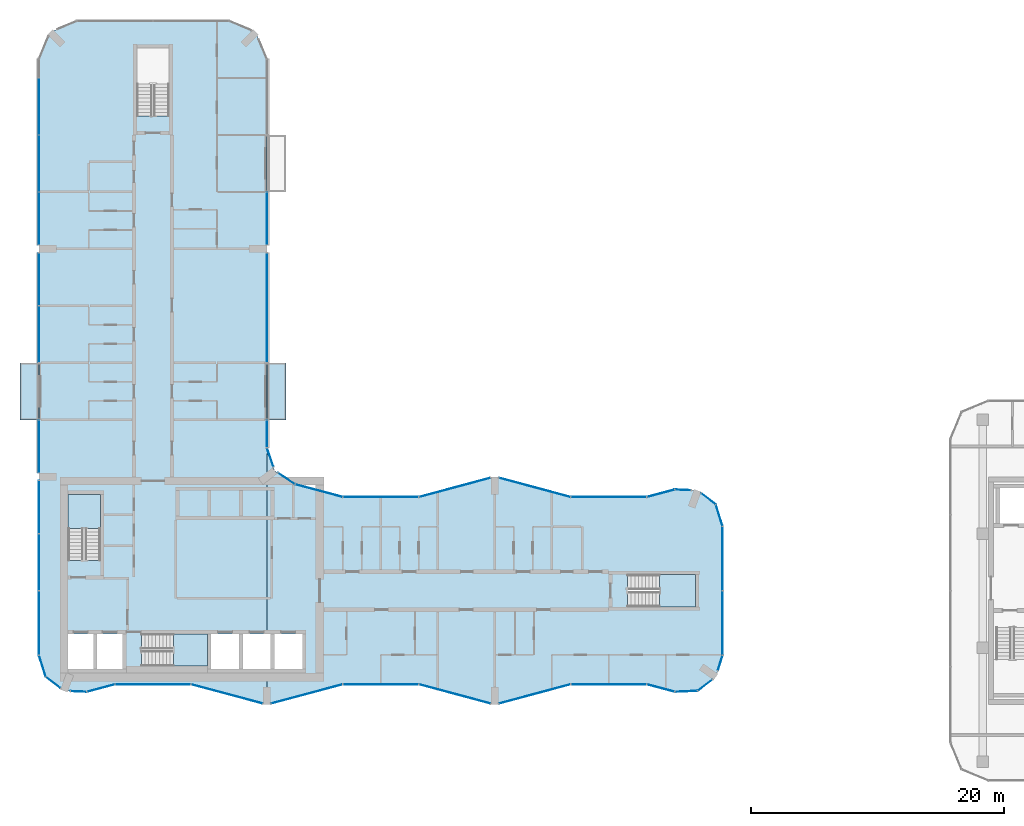
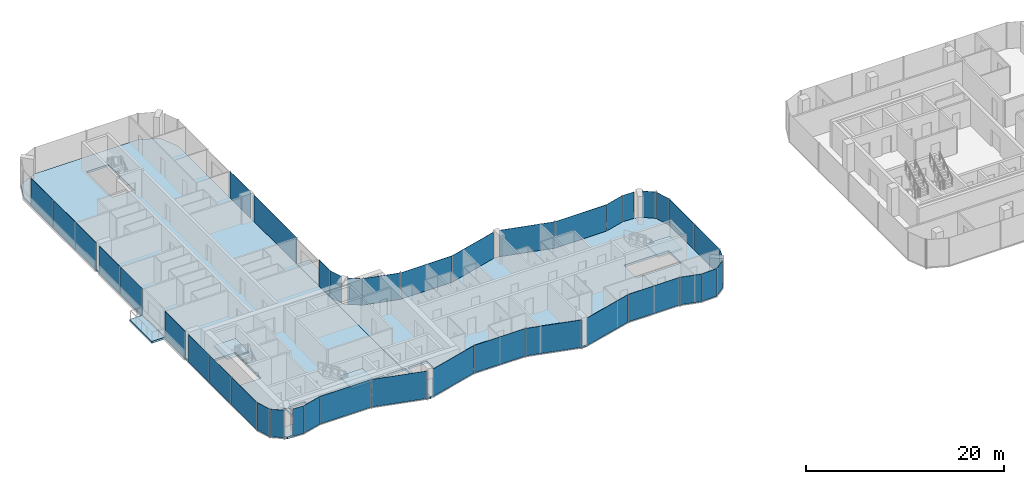
# One storey, part 11 of 22: 40 plates, 7 slabs, 37 elements without a shape of their own.
"""IFC4 building model written with IfcOpenShell, lengths in metres."""

from ifc_helpers import new_model, si_unit, direction, frame, origin, origin_2d, place, context, subcontext, project, spatial, polyline, rectangle, outline, extrude, material, layer, layer_set, type_object, element, aggregate, save


model = new_model("IFC4")

# Units and contexts
model_context = context("Model", 3, precision=1e-05, world=origin(), true_north=direction((0.0, 1.0)))
body_context = subcontext(model_context, "Body", "Model", "MODEL_VIEW")
ifc_project = project(units=[si_unit("LENGTHUNIT", "METRE"), si_unit("AREAUNIT", "SQUARE_METRE"), si_unit("VOLUMEUNIT", "CUBIC_METRE"), si_unit("PLANEANGLEUNIT", "RADIAN"), si_unit("MASSUNIT", "GRAM", prefix="KILO")], contexts=[model_context])

# Site, building, storey
site_placement = place(None, origin())
site = spatial("IfcSite", under=ifc_project, at=site_placement, CompositionType="ELEMENT")
building_placement = place(site_placement, origin())
building = spatial("IfcBuilding", under=site, at=building_placement, Name="Plateau Cross Towers", CompositionType="ELEMENT")
storey_placement = place(building_placement, frame((0.0, 0.0, 106.300048828125)))
storey = spatial("IfcBuildingStorey", under=building, at=storey_placement, Name="L27", CompositionType="ELEMENT", Elevation=106.300048828125)

# Slabs
ifc_material_1 = material(Name="Concrete C40/50", Category="concrete")
ifc_layer_1 = layer(ifc_material_1, 0.25)
ifc_layer_set_1 = layer_set([ifc_layer_1], Name="Concrete C40/50")
slab_type_1 = type_object("IfcSlabType", Name="Balcony slab 250", PredefinedType="FLOOR", material=ifc_layer_set_1)
slab_1_placement = place(storey_placement, frame((0.0, 0.0, -0.25)))
element("IfcSlab", 1, at=slab_1_placement, inside=storey, type_object=slab_type_1, Name="Balcony slab A-BAL-L27-01", PredefinedType="FLOOR", context=body_context, shape_type="SweptSolid", body=[
    extrude(outline(polyline([(0.0, 22.5), (0.0, 27.0), (-1.5, 27.0), (-1.5, 22.5), (0.0, 22.5)])), origin(), (0.0, 0.0, 1.0), 0.25),
])
slab_2_placement = place(storey_placement, frame((0.0, 0.0, -0.25)))
element("IfcSlab", 2, at=slab_2_placement, inside=storey, type_object=slab_type_1, Name="Balcony slab A-BAL-L27-02", PredefinedType="FLOOR", context=body_context, shape_type="SweptSolid", body=[
    extrude(outline(polyline([(19.5, 22.5), (19.5, 27.0), (18.0, 27.0), (18.0, 22.5), (19.5, 22.5)])), origin(), (0.0, 0.0, 1.0), 0.25),
])

# Curtain wall, plate
ifc_material_2 = material(Name="Dark low-iron glass", Category="glass")
ifc_layer_2 = layer(ifc_material_2, 0.239990234375)
ifc_layer_set_2 = layer_set([ifc_layer_2], Name="Dark low-iron glass")
curtain_wall_type_1 = type_object("IfcCurtainWallType", Name="Curtain wall flush unitised CW-B", PredefinedType="NOTDEFINED", material=ifc_layer_set_2)
curtain_wall_1_placement = place(storey_placement, origin())
curtain_wall_1 = element("IfcCurtainWall", 3, at=curtain_wall_1_placement, inside=storey, type_object=curtain_wall_type_1, Name="ENV/A/L27/A502_10", PredefinedType="NOTDEFINED")
ifc_layer_3 = layer(ifc_material_2, 0.031982421875)
ifc_layer_set_3 = layer_set([ifc_layer_3], Name="Dark low-iron glass")
plate_type_1 = type_object("IfcPlateType", Name="Glass panel 32 flush unitised", PredefinedType="CURTAIN_PANEL", material=ifc_layer_set_3)
plate_1_placement = place(storey_placement, frame((51.125, 1.05078125, -0.1298828125), z_axis=(0.0, 0.0, 1.0), x_axis=(0.999043701491, 0.043722791671, 0.0)))
plate_1 = element("IfcPlate", 4, at=plate_1_placement, type_object=plate_type_1, Name="CW-B panel 1", PredefinedType="CURTAIN_PANEL", context=body_context, shape_type="SweptSolid", body=[
    extrude(rectangle(XDim=1.744140625, YDim=0.031982421875, at=origin_2d()), origin(), (0.0, 0.0, 1.0), 3.3798828125),
])
aggregate(curtain_wall_1, [plate_1])

curtain_wall_2_placement = place(storey_placement, origin())
curtain_wall_2 = element("IfcCurtainWall", 5, at=curtain_wall_2_placement, inside=storey, type_object=curtain_wall_type_1, Name="ENV/A/L27/A520_11", PredefinedType="NOTDEFINED")
plate_2_placement = place(storey_placement, frame((52.60986328125, 1.5380859375, -0.1298828125), z_axis=(0.0, 0.0, 1.0), x_axis=(0.793315514529, 0.608810721331, 0.0)))
plate_2 = element("IfcPlate", 6, at=plate_2_placement, type_object=plate_type_1, Name="CW-B panel 1", PredefinedType="CURTAIN_PANEL", context=body_context, shape_type="SweptSolid", body=[
    extrude(rectangle(XDim=1.41162109375, YDim=0.031982421875, at=origin_2d()), origin(), (0.0, 0.0, 1.0), 3.3798828125),
])
aggregate(curtain_wall_2, [plate_2])

curtain_wall_3_placement = place(storey_placement, origin())
curtain_wall_3 = element("IfcCurtainWall", 7, at=curtain_wall_3_placement, inside=storey, type_object=curtain_wall_type_1, Name="ENV/A/L27/A536_27", PredefinedType="NOTDEFINED")
plate_3_placement = place(storey_placement, frame((53.805419921875, 3.292236328125, -0.1298828125), z_axis=(0.0, 0.0, 1.0), x_axis=(0.300686174994, 0.95372313811, 0.0)))
plate_3 = element("IfcPlate", 8, at=plate_3_placement, type_object=plate_type_1, Name="CW-B panel 1", PredefinedType="CURTAIN_PANEL", context=body_context, shape_type="SweptSolid", body=[
    extrude(rectangle(XDim=1.233642578125, YDim=0.031982421875, at=origin_2d()), origin(), (0.0, 0.0, 1.0), 3.3798828125),
])
aggregate(curtain_wall_3, [plate_3])

# Curtain wall, plates
curtain_wall_4_placement = place(storey_placement, origin())
curtain_wall_4 = element("IfcCurtainWall", 9, at=curtain_wall_4_placement, inside=storey, type_object=curtain_wall_type_1, Name="ENV/A/L27/A540_39", PredefinedType="NOTDEFINED")
plate_4_placement = place(storey_placement, frame((54.0, 6.45458984375, -0.1298828125), z_axis=(0.0, 0.0, 1.0), x_axis=(0.0, 1.0, 0.0)))
plate_4 = element("IfcPlate", 10, at=plate_4_placement, type_object=plate_type_1, Name="CW-B panel 1", PredefinedType="CURTAIN_PANEL", context=body_context, shape_type="SweptSolid", body=[
    extrude(rectangle(XDim=5.03076171875, YDim=0.031982421875, at=origin_2d()), origin(), (0.0, 0.0, 1.0), 3.3798828125),
])
plate_5_placement = place(storey_placement, frame((54.0, 11.54541015625, -0.1298828125), z_axis=(0.0, 0.0, 1.0), x_axis=(0.0, 1.0, 0.0)))
plate_5 = element("IfcPlate", 11, at=plate_5_placement, type_object=plate_type_1, Name="CW-B panel 2", PredefinedType="CURTAIN_PANEL", context=body_context, shape_type="SweptSolid", body=[
    extrude(rectangle(XDim=5.03076171875, YDim=0.031982421875, at=origin_2d()), origin(), (0.0, 0.0, 1.0), 3.3798828125),
])
aggregate(curtain_wall_4, [plate_4, plate_5])

# Curtain wall, plate
curtain_wall_5_placement = place(storey_placement, origin())
curtain_wall_5 = element("IfcCurtainWall", 12, at=curtain_wall_5_placement, inside=storey, type_object=curtain_wall_type_1, Name="ENV/A/L27/A540_141", PredefinedType="NOTDEFINED")
plate_6_placement = place(storey_placement, frame((53.728759765625, 14.951171875, -0.1298828125), z_axis=(0.0, 0.0, 1.0), x_axis=(-0.300686174994, 0.95372313811, 0.0)))
plate_6 = element("IfcPlate", 13, at=plate_6_placement, type_object=plate_type_1, Name="CW-B panel 1", PredefinedType="CURTAIN_PANEL", context=body_context, shape_type="SweptSolid", body=[
    extrude(rectangle(XDim=1.744140625, YDim=0.031982421875, at=origin_2d()), origin(), (0.0, 0.0, 1.0), 3.3798828125),
])
aggregate(curtain_wall_5, [plate_6])

curtain_wall_6_placement = place(storey_placement, origin())
curtain_wall_6 = element("IfcCurtainWall", 14, at=curtain_wall_6_placement, inside=storey, type_object=curtain_wall_type_1, Name="ENV/A/L27/A535_158", PredefinedType="NOTDEFINED")
plate_7_placement = place(storey_placement, frame((52.873779296875, 16.25927734375, -0.1298828125), z_axis=(0.0, 0.0, 1.0), x_axis=(-0.793315514529, 0.608810721331, 0.0)))
plate_7 = element("IfcPlate", 15, at=plate_7_placement, type_object=plate_type_1, Name="CW-B panel 1", PredefinedType="CURTAIN_PANEL", context=body_context, shape_type="SweptSolid", body=[
    extrude(rectangle(XDim=1.41162109375, YDim=0.031982421875, at=origin_2d()), origin(), (0.0, 0.0, 1.0), 3.3798828125),
])
aggregate(curtain_wall_6, [plate_7])

curtain_wall_7_placement = place(storey_placement, origin())
curtain_wall_7 = element("IfcCurtainWall", 16, at=curtain_wall_7_placement, inside=storey, type_object=curtain_wall_type_1, Name="ENV/A/L27/A515_169", PredefinedType="NOTDEFINED")
plate_8_placement = place(storey_placement, frame((50.8701171875, 16.96044921875, -0.1298828125), z_axis=(0.0, 0.0, 1.0), x_axis=(-0.999043701491, 0.043722791671, 0.0)))
plate_8 = element("IfcPlate", 17, at=plate_8_placement, type_object=plate_type_1, Name="CW-B panel 1", PredefinedType="CURTAIN_PANEL", context=body_context, shape_type="SweptSolid", body=[
    extrude(rectangle(XDim=1.233642578125, YDim=0.031982421875, at=origin_2d()), origin(), (0.0, 0.0, 1.0), 3.3798828125),
])
aggregate(curtain_wall_7, [plate_8])

curtain_wall_8_placement = place(storey_placement, origin())
curtain_wall_8 = element("IfcCurtainWall", 18, at=curtain_wall_8_placement, inside=storey, type_object=curtain_wall_type_1, Name="ENV/A/L27/A202_174", PredefinedType="NOTDEFINED")
plate_9_placement = place(storey_placement, frame((19.546630859375, 17.856689453125, -0.1298828125), z_axis=(0.0, 0.0, 1.0), x_axis=(-0.831521253329, 0.555492938984, 0.0)))
plate_9 = element("IfcPlate", 19, at=plate_9_placement, type_object=plate_type_1, Name="CW-B panel 1", PredefinedType="CURTAIN_PANEL", context=body_context, shape_type="SweptSolid", body=[
    extrude(rectangle(XDim=1.56884765625, YDim=0.031982421875, at=origin_2d()), origin(), (0.0, 0.0, 1.0), 3.3798828125),
])
aggregate(curtain_wall_8, [plate_9])

curtain_wall_9_placement = place(storey_placement, origin())
curtain_wall_9 = element("IfcCurtainWall", 20, at=curtain_wall_9_placement, inside=storey, type_object=curtain_wall_type_1, Name="ENV/A/L27/A185_188", PredefinedType="NOTDEFINED")
plate_10_placement = place(storey_placement, frame((18.26171875, 19.531005859375, -0.1298828125), z_axis=(0.0, 0.0, 1.0), x_axis=(-0.321469161574, 0.94692004845, 0.0)))
plate_10 = element("IfcPlate", 21, at=plate_10_placement, type_object=plate_type_1, Name="CW-B panel 1", PredefinedType="CURTAIN_PANEL", context=body_context, shape_type="SweptSolid", body=[
    extrude(rectangle(XDim=1.56884765625, YDim=0.031982421875, at=origin_2d()), origin(), (0.0, 0.0, 1.0), 3.3798828125),
])
aggregate(curtain_wall_9, [plate_10])

curtain_wall_10_placement = place(storey_placement, origin())
curtain_wall_10 = element("IfcCurtainWall", 22, at=curtain_wall_10_placement, inside=storey, type_object=curtain_wall_type_1, Name="ENV/A/L27/A180_203", PredefinedType="NOTDEFINED")
plate_11_placement = place(storey_placement, frame((18.0, 21.396240234375, -0.1298828125), z_axis=(0.0, 0.0, 1.0), x_axis=(0.0, 1.0, 0.0)))
plate_11 = element("IfcPlate", 23, at=plate_11_placement, type_object=plate_type_1, Name="CW-B panel 1", PredefinedType="CURTAIN_PANEL", context=body_context, shape_type="SweptSolid", body=[
    extrude(rectangle(XDim=2.127685546875, YDim=0.031982421875, at=origin_2d()), origin(), (0.0, 0.0, 1.0), 3.3798828125),
])
aggregate(curtain_wall_10, [plate_11])

curtain_wall_11_placement = place(storey_placement, origin())
curtain_wall_11 = element("IfcCurtainWall", 24, at=curtain_wall_11_placement, inside=storey, type_object=curtain_wall_type_1, Name="ENV/A/L27/A180_270", PredefinedType="NOTDEFINED")
plate_12_placement = place(storey_placement, frame((18.0, 31.35498046875, -0.1298828125), z_axis=(0.0, 0.0, 1.0), x_axis=(0.0, 1.0, 0.0)))
plate_12 = element("IfcPlate", 25, at=plate_12_placement, type_object=plate_type_1, Name="CW-B panel 1", PredefinedType="CURTAIN_PANEL", context=body_context, shape_type="SweptSolid", body=[
    extrude(rectangle(XDim=8.6298828125, YDim=0.031982421875, at=origin_2d()), origin(), (0.0, 0.0, 1.0), 3.3798828125),
])
aggregate(curtain_wall_11, [plate_12])

curtain_wall_12_placement = place(storey_placement, origin())
curtain_wall_12 = element("IfcCurtainWall", 26, at=curtain_wall_12_placement, inside=storey, type_object=curtain_wall_type_1, Name="ENV/A/L27/A180_363", PredefinedType="NOTDEFINED")
plate_13_placement = place(storey_placement, frame((18.0, 38.39501953125, -0.1298828125), z_axis=(0.0, 0.0, 1.0), x_axis=(0.0, 1.0, 0.0)))
plate_13 = element("IfcPlate", 27, at=plate_13_placement, type_object=plate_type_1, Name="CW-B panel 1", PredefinedType="CURTAIN_PANEL", context=body_context, shape_type="SweptSolid", body=[
    extrude(rectangle(XDim=4.1298828125, YDim=0.031982421875, at=origin_2d()), origin(), (0.0, 0.0, 1.0), 3.3798828125),
])
aggregate(curtain_wall_12, [plate_13])

# Curtain wall, plates
curtain_wall_13_placement = place(storey_placement, origin())
curtain_wall_13 = element("IfcCurtainWall", 28, at=curtain_wall_13_placement, inside=storey, type_object=curtain_wall_type_1, Name="ENV/A/L27/A0_510", PredefinedType="NOTDEFINED")
plate_14_placement = place(storey_placement, frame((0.0, 47.25, -0.1298828125), z_axis=(0.0, 0.0, 1.0), x_axis=(0.0, -1.0, 0.0)))
plate_14 = element("IfcPlate", 29, at=plate_14_placement, type_object=plate_type_1, Name="CW-B panel 2", PredefinedType="CURTAIN_PANEL", context=body_context, shape_type="SweptSolid", body=[
    extrude(rectangle(XDim=4.43994140625, YDim=0.031982421875, at=origin_2d()), origin(), (0.0, 0.0, 1.0), 3.3798828125),
])
plate_15_placement = place(storey_placement, frame((0.0, 42.75, -0.1298828125), z_axis=(0.0, 0.0, 1.0), x_axis=(0.0, -1.0, 0.0)))
plate_15 = element("IfcPlate", 30, at=plate_15_placement, type_object=plate_type_1, Name="CW-B panel 3", PredefinedType="CURTAIN_PANEL", context=body_context, shape_type="SweptSolid", body=[
    extrude(rectangle(XDim=4.43994140625, YDim=0.031982421875, at=origin_2d()), origin(), (0.0, 0.0, 1.0), 3.3798828125),
])
plate_16_placement = place(storey_placement, frame((0.0, 38.39990234375, -0.1298828125), z_axis=(0.0, 0.0, 1.0), x_axis=(0.0, -1.0, 0.0)))
plate_16 = element("IfcPlate", 31, at=plate_16_placement, type_object=plate_type_1, Name="CW-B panel 4", PredefinedType="CURTAIN_PANEL", context=body_context, shape_type="SweptSolid", body=[
    extrude(rectangle(XDim=4.139892578125, YDim=0.031982421875, at=origin_2d()), origin(), (0.0, 0.0, 1.0), 3.3798828125),
])
aggregate(curtain_wall_13, [plate_14, plate_15, plate_16])

curtain_wall_14_placement = place(storey_placement, origin())
curtain_wall_14 = element("IfcCurtainWall", 32, at=curtain_wall_14_placement, inside=storey, type_object=curtain_wall_type_1, Name="ENV/A/L27/A0_357", PredefinedType="NOTDEFINED")
plate_17_placement = place(storey_placement, frame((0.0, 33.60009765625, -0.1298828125), z_axis=(0.0, 0.0, 1.0), x_axis=(0.0, -1.0, 0.0)))
plate_17 = element("IfcPlate", 33, at=plate_17_placement, type_object=plate_type_1, Name="CW-B panel 1", PredefinedType="CURTAIN_PANEL", context=body_context, shape_type="SweptSolid", body=[
    extrude(rectangle(XDim=4.139892578125, YDim=0.031982421875, at=origin_2d()), origin(), (0.0, 0.0, 1.0), 3.3798828125),
])
plate_18_placement = place(storey_placement, frame((0.0, 29.2548828125, -0.1298828125), z_axis=(0.0, 0.0, 1.0), x_axis=(0.0, -1.0, 0.0)))
plate_18 = element("IfcPlate", 34, at=plate_18_placement, type_object=plate_type_1, Name="CW-B panel 2", PredefinedType="CURTAIN_PANEL", context=body_context, shape_type="SweptSolid", body=[
    extrude(rectangle(XDim=4.429931640625, YDim=0.031982421875, at=origin_2d()), origin(), (0.0, 0.0, 1.0), 3.3798828125),
])
aggregate(curtain_wall_14, [plate_17, plate_18])

# Curtain wall, plate
curtain_wall_15_placement = place(storey_placement, origin())
curtain_wall_15 = element("IfcCurtainWall", 35, at=curtain_wall_15_placement, inside=storey, type_object=curtain_wall_type_1, Name="ENV/A/L27/A0_225", PredefinedType="NOTDEFINED")
plate_19_placement = place(storey_placement, frame((0.0, 20.39501953125, -0.1298828125), z_axis=(0.0, 0.0, 1.0), x_axis=(0.0, -1.0, 0.0)))
plate_19 = element("IfcPlate", 36, at=plate_19_placement, type_object=plate_type_1, Name="CW-B panel 1", PredefinedType="CURTAIN_PANEL", context=body_context, shape_type="SweptSolid", body=[
    extrude(rectangle(XDim=4.1298828125, YDim=0.031982421875, at=origin_2d()), origin(), (0.0, 0.0, 1.0), 3.3798828125),
])
aggregate(curtain_wall_15, [plate_19])

# Curtain wall, plates
curtain_wall_16_placement = place(storey_placement, origin())
curtain_wall_16 = element("IfcCurtainWall", 37, at=curtain_wall_16_placement, inside=storey, type_object=curtain_wall_type_1, Name="ENV/A/L27/A0_177", PredefinedType="NOTDEFINED")
plate_20_placement = place(storey_placement, frame((0.0, 15.60009765625, -0.1298828125), z_axis=(0.0, 0.0, 1.0), x_axis=(0.0, -1.0, 0.0)))
plate_20 = element("IfcPlate", 38, at=plate_20_placement, type_object=plate_type_1, Name="CW-B panel 1", PredefinedType="CURTAIN_PANEL", context=body_context, shape_type="SweptSolid", body=[
    extrude(rectangle(XDim=4.139892578125, YDim=0.031982421875, at=origin_2d()), origin(), (0.0, 0.0, 1.0), 3.3798828125),
])
plate_21_placement = place(storey_placement, frame((0.0, 11.25, -0.1298828125), z_axis=(0.0, 0.0, 1.0), x_axis=(0.0, -1.0, 0.0)))
plate_21 = element("IfcPlate", 39, at=plate_21_placement, type_object=plate_type_1, Name="CW-B panel 2", PredefinedType="CURTAIN_PANEL", context=body_context, shape_type="SweptSolid", body=[
    extrude(rectangle(XDim=4.43994140625, YDim=0.031982421875, at=origin_2d()), origin(), (0.0, 0.0, 1.0), 3.3798828125),
])
plate_22_placement = place(storey_placement, frame((0.0, 6.45458984375, -0.1298828125), z_axis=(0.0, 0.0, 1.0), x_axis=(0.0, -1.0, 0.0)))
plate_22 = element("IfcPlate", 40, at=plate_22_placement, type_object=plate_type_1, Name="CW-B panel 3", PredefinedType="CURTAIN_PANEL", context=body_context, shape_type="SweptSolid", body=[
    extrude(rectangle(XDim=5.03076171875, YDim=0.031982421875, at=origin_2d()), origin(), (0.0, 0.0, 1.0), 3.3798828125),
])
aggregate(curtain_wall_16, [plate_20, plate_21, plate_22])

# Curtain wall, plate
curtain_wall_17_placement = place(storey_placement, origin())
curtain_wall_17 = element("IfcCurtainWall", 41, at=curtain_wall_17_placement, inside=storey, type_object=curtain_wall_type_1, Name="ENV/A/L27/A0_39", PredefinedType="NOTDEFINED")
plate_23_placement = place(storey_placement, frame((0.271240234375, 3.048828125, -0.1298828125), z_axis=(0.0, 0.0, 1.0), x_axis=(0.300686174994, -0.95372313811, 0.0)))
plate_23 = element("IfcPlate", 42, at=plate_23_placement, type_object=plate_type_1, Name="CW-B panel 1", PredefinedType="CURTAIN_PANEL", context=body_context, shape_type="SweptSolid", body=[
    extrude(rectangle(XDim=1.744140625, YDim=0.031982421875, at=origin_2d()), origin(), (0.0, 0.0, 1.0), 3.3798828125),
])
aggregate(curtain_wall_17, [plate_23])

curtain_wall_18_placement = place(storey_placement, origin())
curtain_wall_18 = element("IfcCurtainWall", 43, at=curtain_wall_18_placement, inside=storey, type_object=curtain_wall_type_1, Name="ENV/A/L27/A5_22", PredefinedType="NOTDEFINED")
plate_24_placement = place(storey_placement, frame((1.126220703125, 1.74072265625, -0.1298828125), z_axis=(0.0, 0.0, 1.0), x_axis=(0.793315514529, -0.608810721331, 0.0)))
plate_24 = element("IfcPlate", 44, at=plate_24_placement, type_object=plate_type_1, Name="CW-B panel 1", PredefinedType="CURTAIN_PANEL", context=body_context, shape_type="SweptSolid", body=[
    extrude(rectangle(XDim=1.41162109375, YDim=0.031982421875, at=origin_2d()), origin(), (0.0, 0.0, 1.0), 3.3798828125),
])
aggregate(curtain_wall_18, [plate_24])

curtain_wall_19_placement = place(storey_placement, origin())
curtain_wall_19 = element("IfcCurtainWall", 45, at=curtain_wall_19_placement, inside=storey, type_object=curtain_wall_type_1, Name="ENV/A/L27/A25_11", PredefinedType="NOTDEFINED")
plate_25_placement = place(storey_placement, frame((3.1298828125, 1.03955078125, -0.1298828125), z_axis=(0.0, 0.0, 1.0), x_axis=(0.999043701491, -0.043722791671, 0.0)))
plate_25 = element("IfcPlate", 46, at=plate_25_placement, type_object=plate_type_1, Name="CW-B panel 1", PredefinedType="CURTAIN_PANEL", context=body_context, shape_type="SweptSolid", body=[
    extrude(rectangle(XDim=1.233642578125, YDim=0.031982421875, at=origin_2d()), origin(), (0.0, 0.0, 1.0), 3.3798828125),
])
aggregate(curtain_wall_19, [plate_25])

ifc_layer_4 = layer(ifc_material_2, 0.260009765625)
ifc_layer_set_4 = layer_set([ifc_layer_4], Name="Dark low-iron glass")
curtain_wall_type_2 = type_object("IfcCurtainWallType", Name="Curtain wall fluted unitised CW-A", PredefinedType="NOTDEFINED", material=ifc_layer_set_4)
curtain_wall_20_placement = place(storey_placement, origin())
curtain_wall_20 = element("IfcCurtainWall", 47, at=curtain_wall_20_placement, inside=storey, type_object=curtain_wall_type_2, Name="ENV/A/L27/A38_10", PredefinedType="NOTDEFINED")
ifc_layer_5 = layer(ifc_material_2, 0.035888671875)
ifc_layer_set_5 = layer_set([ifc_layer_5], Name="Dark low-iron glass")
plate_type_2 = type_object("IfcPlateType", Name="Glass panel 36 fluted unitised", PredefinedType="CURTAIN_PANEL", material=ifc_layer_set_5)
plate_26_placement = place(storey_placement, frame((4.887939453125, 1.30908203125, -0.1298828125), z_axis=(0.0, 0.0, 1.0), x_axis=(0.965957962328, 0.258699081978, 0.0)))
plate_26 = element("IfcPlate", 48, at=plate_26_placement, type_object=plate_type_2, Name="CW-A panel 1", PredefinedType="CURTAIN_PANEL", context=body_context, shape_type="SweptSolid", body=[
    extrude(rectangle(XDim=2.2421875, YDim=0.035888671875, at=origin_2d()), origin(), (0.0, 0.0, 1.0), 3.3798828125),
])
aggregate(curtain_wall_20, [plate_26])

curtain_wall_21_placement = place(storey_placement, origin())
curtain_wall_21 = element("IfcCurtainWall", 49, at=curtain_wall_21_placement, inside=storey, type_object=curtain_wall_type_2, Name="ENV/A/L27/A60_16", PredefinedType="NOTDEFINED")
plate_27_placement = place(storey_placement, frame((9.0, 1.60693359375, -0.1298828125), z_axis=(0.0, 0.0, 1.0), x_axis=(1.0, 0.0, 0.0)))
plate_27 = element("IfcPlate", 50, at=plate_27_placement, type_object=plate_type_2, Name="CW-A panel 1", PredefinedType="CURTAIN_PANEL", context=body_context, shape_type="SweptSolid", body=[
    extrude(rectangle(XDim=5.93994140625, YDim=0.035888671875, at=origin_2d()), origin(), (0.0, 0.0, 1.0), 3.3798828125),
])
aggregate(curtain_wall_21, [plate_27])

curtain_wall_22_placement = place(storey_placement, origin())
curtain_wall_22 = element("IfcCurtainWall", 51, at=curtain_wall_22_placement, inside=storey, type_object=curtain_wall_type_2, Name="ENV/A/L27/A120_16", PredefinedType="NOTDEFINED")
plate_28_placement = place(storey_placement, frame((14.841064453125, 0.845947265625, -0.1298828125), z_axis=(0.0, 0.0, 1.0), x_axis=(0.965957983404, -0.258699003279, 0.0)))
plate_28 = element("IfcPlate", 52, at=plate_28_placement, type_object=plate_type_2, Name="CW-A panel 1", PredefinedType="CURTAIN_PANEL", context=body_context, shape_type="SweptSolid", body=[
    extrude(rectangle(XDim=5.822265625, YDim=0.035888671875, at=origin_2d()), origin(), (0.0, 0.0, 1.0), 3.3798828125),
])
aggregate(curtain_wall_22, [plate_28])

curtain_wall_23_placement = place(storey_placement, origin())
curtain_wall_23 = element("IfcCurtainWall", 53, at=curtain_wall_23_placement, inside=storey, type_object=curtain_wall_type_2, Name="ENV/A/L27/A183_1", PredefinedType="NOTDEFINED")
plate_29_placement = place(storey_placement, frame((21.158935546875, 0.845947265625, -0.1298828125), z_axis=(0.0, 0.0, 1.0), x_axis=(0.965957983404, 0.258699003279, 0.0)))
plate_29 = element("IfcPlate", 54, at=plate_29_placement, type_object=plate_type_2, Name="CW-A panel 1", PredefinedType="CURTAIN_PANEL", context=body_context, shape_type="SweptSolid", body=[
    extrude(rectangle(XDim=5.822265625, YDim=0.035888671875, at=origin_2d()), origin(), (0.0, 0.0, 1.0), 3.3798828125),
])
aggregate(curtain_wall_23, [plate_29])

curtain_wall_24_placement = place(storey_placement, origin())
curtain_wall_24 = element("IfcCurtainWall", 55, at=curtain_wall_24_placement, inside=storey, type_object=curtain_wall_type_2, Name="ENV/A/L27/A240_16", PredefinedType="NOTDEFINED")
plate_30_placement = place(storey_placement, frame((27.0, 1.60693359375, -0.1298828125), z_axis=(0.0, 0.0, 1.0), x_axis=(1.0, 0.0, 0.0)))
plate_30 = element("IfcPlate", 56, at=plate_30_placement, type_object=plate_type_2, Name="CW-A panel 1", PredefinedType="CURTAIN_PANEL", context=body_context, shape_type="SweptSolid", body=[
    extrude(rectangle(XDim=5.93994140625, YDim=0.035888671875, at=origin_2d()), origin(), (0.0, 0.0, 1.0), 3.3798828125),
])
aggregate(curtain_wall_24, [plate_30])

curtain_wall_25_placement = place(storey_placement, origin())
curtain_wall_25 = element("IfcCurtainWall", 57, at=curtain_wall_25_placement, inside=storey, type_object=curtain_wall_type_2, Name="ENV/A/L27/A300_16", PredefinedType="NOTDEFINED")
plate_31_placement = place(storey_placement, frame((32.841064453125, 0.845947265625, -0.1298828125), z_axis=(0.0, 0.0, 1.0), x_axis=(0.965957983404, -0.258699003279, 0.0)))
plate_31 = element("IfcPlate", 58, at=plate_31_placement, type_object=plate_type_2, Name="CW-A panel 1", PredefinedType="CURTAIN_PANEL", context=body_context, shape_type="SweptSolid", body=[
    extrude(rectangle(XDim=5.822265625, YDim=0.035888671875, at=origin_2d()), origin(), (0.0, 0.0, 1.0), 3.3798828125),
])
aggregate(curtain_wall_25, [plate_31])

curtain_wall_26_placement = place(storey_placement, origin())
curtain_wall_26 = element("IfcCurtainWall", 59, at=curtain_wall_26_placement, inside=storey, type_object=curtain_wall_type_2, Name="ENV/A/L27/A363_1", PredefinedType="NOTDEFINED")
plate_32_placement = place(storey_placement, frame((39.158935546875, 0.845947265625, -0.1298828125), z_axis=(0.0, 0.0, 1.0), x_axis=(0.965957983404, 0.258699003279, 0.0)))
plate_32 = element("IfcPlate", 60, at=plate_32_placement, type_object=plate_type_2, Name="CW-A panel 1", PredefinedType="CURTAIN_PANEL", context=body_context, shape_type="SweptSolid", body=[
    extrude(rectangle(XDim=5.822265625, YDim=0.035888671875, at=origin_2d()), origin(), (0.0, 0.0, 1.0), 3.3798828125),
])
aggregate(curtain_wall_26, [plate_32])

curtain_wall_27_placement = place(storey_placement, origin())
curtain_wall_27 = element("IfcCurtainWall", 61, at=curtain_wall_27_placement, inside=storey, type_object=curtain_wall_type_2, Name="ENV/A/L27/A420_16", PredefinedType="NOTDEFINED")
plate_33_placement = place(storey_placement, frame((45.0, 1.60693359375, -0.1298828125), z_axis=(0.0, 0.0, 1.0), x_axis=(1.0, 0.0, 0.0)))
plate_33 = element("IfcPlate", 62, at=plate_33_placement, type_object=plate_type_2, Name="CW-A panel 1", PredefinedType="CURTAIN_PANEL", context=body_context, shape_type="SweptSolid", body=[
    extrude(rectangle(XDim=5.93994140625, YDim=0.035888671875, at=origin_2d()), origin(), (0.0, 0.0, 1.0), 3.3798828125),
])
aggregate(curtain_wall_27, [plate_33])

curtain_wall_28_placement = place(storey_placement, origin())
curtain_wall_28 = element("IfcCurtainWall", 63, at=curtain_wall_28_placement, inside=storey, type_object=curtain_wall_type_2, Name="ENV/A/L27/A480_16", PredefinedType="NOTDEFINED")
plate_34_placement = place(storey_placement, frame((49.112060546875, 1.30908203125, -0.1298828125), z_axis=(0.0, 0.0, 1.0), x_axis=(0.965957962328, -0.258699081978, 0.0)))
plate_34 = element("IfcPlate", 64, at=plate_34_placement, type_object=plate_type_2, Name="CW-A panel 1", PredefinedType="CURTAIN_PANEL", context=body_context, shape_type="SweptSolid", body=[
    extrude(rectangle(XDim=2.2421875, YDim=0.035888671875, at=origin_2d()), origin(), (0.0, 0.0, 1.0), 3.3798828125),
])
aggregate(curtain_wall_28, [plate_34])

curtain_wall_29_placement = place(storey_placement, origin())
curtain_wall_29 = element("IfcCurtainWall", 65, at=curtain_wall_29_placement, inside=storey, type_object=curtain_wall_type_2, Name="ENV/A/L27/A502_170", PredefinedType="NOTDEFINED")
plate_35_placement = place(storey_placement, frame((49.112060546875, 16.69091796875, -0.1298828125), z_axis=(0.0, 0.0, 1.0), x_axis=(-0.965957962328, -0.258699081978, 0.0)))
plate_35 = element("IfcPlate", 66, at=plate_35_placement, type_object=plate_type_2, Name="CW-A panel 1", PredefinedType="CURTAIN_PANEL", context=body_context, shape_type="SweptSolid", body=[
    extrude(rectangle(XDim=2.2421875, YDim=0.035888671875, at=origin_2d()), origin(), (0.0, 0.0, 1.0), 3.3798828125),
])
aggregate(curtain_wall_29, [plate_35])

curtain_wall_30_placement = place(storey_placement, origin())
curtain_wall_30 = element("IfcCurtainWall", 67, at=curtain_wall_30_placement, inside=storey, type_object=curtain_wall_type_2, Name="ENV/A/L27/A480_164", PredefinedType="NOTDEFINED")
plate_36_placement = place(storey_placement, frame((45.0, 16.39306640625, -0.1298828125), z_axis=(0.0, 0.0, 1.0), x_axis=(-1.0, 0.0, 0.0)))
plate_36 = element("IfcPlate", 68, at=plate_36_placement, type_object=plate_type_2, Name="CW-A panel 1", PredefinedType="CURTAIN_PANEL", context=body_context, shape_type="SweptSolid", body=[
    extrude(rectangle(XDim=5.93994140625, YDim=0.035888671875, at=origin_2d()), origin(), (0.0, 0.0, 1.0), 3.3798828125),
])
aggregate(curtain_wall_30, [plate_36])

curtain_wall_31_placement = place(storey_placement, origin())
curtain_wall_31 = element("IfcCurtainWall", 69, at=curtain_wall_31_placement, inside=storey, type_object=curtain_wall_type_2, Name="ENV/A/L27/A420_164", PredefinedType="NOTDEFINED")
plate_37_placement = place(storey_placement, frame((39.158935546875, 17.154052734375, -0.1298828125), z_axis=(0.0, 0.0, 1.0), x_axis=(-0.965957983404, 0.258699003279, 0.0)))
plate_37 = element("IfcPlate", 70, at=plate_37_placement, type_object=plate_type_2, Name="CW-A panel 1", PredefinedType="CURTAIN_PANEL", context=body_context, shape_type="SweptSolid", body=[
    extrude(rectangle(XDim=5.822265625, YDim=0.035888671875, at=origin_2d()), origin(), (0.0, 0.0, 1.0), 3.3798828125),
])
aggregate(curtain_wall_31, [plate_37])

curtain_wall_32_placement = place(storey_placement, origin())
curtain_wall_32 = element("IfcCurtainWall", 71, at=curtain_wall_32_placement, inside=storey, type_object=curtain_wall_type_2, Name="ENV/A/L27/A357_179", PredefinedType="NOTDEFINED")
plate_38_placement = place(storey_placement, frame((32.841064453125, 17.154052734375, -0.1298828125), z_axis=(0.0, 0.0, 1.0), x_axis=(-0.965957983404, -0.258699003279, 0.0)))
plate_38 = element("IfcPlate", 72, at=plate_38_placement, type_object=plate_type_2, Name="CW-A panel 1", PredefinedType="CURTAIN_PANEL", context=body_context, shape_type="SweptSolid", body=[
    extrude(rectangle(XDim=5.822265625, YDim=0.035888671875, at=origin_2d()), origin(), (0.0, 0.0, 1.0), 3.3798828125),
])
aggregate(curtain_wall_32, [plate_38])

curtain_wall_33_placement = place(storey_placement, origin())
curtain_wall_33 = element("IfcCurtainWall", 73, at=curtain_wall_33_placement, inside=storey, type_object=curtain_wall_type_2, Name="ENV/A/L27/A300_164", PredefinedType="NOTDEFINED")
plate_39_placement = place(storey_placement, frame((27.0, 16.39306640625, -0.1298828125), z_axis=(0.0, 0.0, 1.0), x_axis=(-1.0, 0.0, 0.0)))
plate_39 = element("IfcPlate", 74, at=plate_39_placement, type_object=plate_type_2, Name="CW-A panel 1", PredefinedType="CURTAIN_PANEL", context=body_context, shape_type="SweptSolid", body=[
    extrude(rectangle(XDim=5.93994140625, YDim=0.035888671875, at=origin_2d()), origin(), (0.0, 0.0, 1.0), 3.3798828125),
])
aggregate(curtain_wall_33, [plate_39])

curtain_wall_34_placement = place(storey_placement, origin())
curtain_wall_34 = element("IfcCurtainWall", 75, at=curtain_wall_34_placement, inside=storey, type_object=curtain_wall_type_2, Name="ENV/A/L27/A240_164", PredefinedType="NOTDEFINED")
plate_40_placement = place(storey_placement, frame((22.112060546875, 16.898681640625, -0.1298828125), z_axis=(0.0, 0.0, 1.0), x_axis=(-0.965957995816, 0.258698956933, 0.0)))
plate_40 = element("IfcPlate", 76, at=plate_40_placement, type_object=plate_type_2, Name="CW-A panel 1", PredefinedType="CURTAIN_PANEL", context=body_context, shape_type="SweptSolid", body=[
    extrude(rectangle(XDim=3.84912109375, YDim=0.035888671875, at=origin_2d()), origin(), (0.0, 0.0, 1.0), 3.3798828125),
])
aggregate(curtain_wall_34, [plate_40])

# Slabs
ifc_layer_6 = layer(ifc_material_1, 0.25)
ifc_layer_set_6 = layer_set([ifc_layer_6], Name="Concrete C40/50")
slab_type_2 = type_object("IfcSlabType", Name="Post-tensioned flat plate slab 250", PredefinedType="FLOOR", material=ifc_layer_set_6)
slab_3_placement = place(storey_placement, frame((0.0, 0.0, -0.25)))
element("IfcSlab", 77, at=slab_3_placement, inside=storey, type_object=slab_type_2, Name="SL-A-L27 1", PredefinedType="FLOOR", context=body_context, shape_type="SweptSolid", body=[
    extrude(outline(polyline([(0.54248046875, 2.1884765625), (0.0, 3.9091796875), (0.0, 51.0), (0.878662109375, 53.121337890625), (3.0, 54.0), (15.0, 54.0), (17.121337890625, 53.121337890625), (18.0, 51.0), (18.0, 20.30224609375), (18.0, 5.60009765625), (16.10009765625, 5.60009765625), (16.10009765625, 2.800048828125), (18.0, 2.800048828125), (18.0, 0.0), (12.0, 1.60693359375), (6.0, 1.60693359375), (3.776123046875, 1.01123046875), (1.9736328125, 1.090087890625), (0.54248046875, 2.1884765625)]), holes=[polyline([(4.300048828125, 5.60009765625), (2.300048828125, 5.60009765625), (2.300048828125, 2.800048828125), (4.300048828125, 2.800048828125), (4.300048828125, 5.60009765625)]), polyline([(6.60009765625, 5.60009765625), (4.60009765625, 5.60009765625), (4.60009765625, 2.800048828125), (6.60009765625, 2.800048828125), (6.60009765625, 5.60009765625)]), polyline([(15.800048828125, 5.60009765625), (13.60009765625, 5.60009765625), (13.60009765625, 2.800048828125), (15.800048828125, 2.800048828125), (15.800048828125, 5.60009765625)]), polyline([(13.300048828125, 5.60009765625), (8.10009765625, 5.60009765625), (8.10009765625, 3.050048828125), (13.300048828125, 3.050048828125), (13.300048828125, 5.60009765625)]), polyline([(4.85009765625, 16.60009765625), (2.300048828125, 16.60009765625), (2.300048828125, 11.39990234375), (4.85009765625, 11.39990234375), (4.85009765625, 16.60009765625)]), polyline([(7.72509765625, 51.699951171875), (7.72509765625, 46.5), (10.27490234375, 46.5), (10.27490234375, 51.699951171875), (7.72509765625, 51.699951171875)])]), origin(), (0.0, 0.0, 1.0), 0.25),
])
slab_4_placement = place(storey_placement, frame((0.0, 0.0, -0.25)))
element("IfcSlab", 78, at=slab_4_placement, inside=storey, type_object=slab_type_2, Name="SL-A-L27 2", PredefinedType="FLOOR", context=body_context, shape_type="SweptSolid", body=[
    extrude(outline(polyline([(18.6201171875, 18.475830078125), (20.223876953125, 17.404296875), (24.0, 16.39306640625), (30.0, 16.39306640625), (36.0, 18.0), (42.0, 16.39306640625), (48.0, 16.39306640625), (50.223876953125, 16.98876953125), (52.0263671875, 16.909912109375), (53.45751953125, 15.8115234375), (54.0, 14.0908203125), (54.0, 3.9091796875), (53.45751953125, 2.1884765625), (52.0263671875, 1.090087890625), (50.223876953125, 1.01123046875), (48.0, 1.60693359375), (42.0, 1.60693359375), (36.0, 0.0), (30.0, 1.60693359375), (24.0, 1.60693359375), (18.0, 0.0), (18.0, 2.800048828125), (18.300048828125, 2.800048828125), (18.300048828125, 5.60009765625), (18.0, 5.60009765625), (18.0, 20.30224609375), (18.6201171875, 18.475830078125)]), holes=[polyline([(20.800048828125, 5.60009765625), (18.60009765625, 5.60009765625), (18.60009765625, 2.800048828125), (20.800048828125, 2.800048828125), (20.800048828125, 5.60009765625)]), polyline([(51.699951171875, 7.72509765625), (51.699951171875, 10.27490234375), (46.5, 10.27490234375), (46.5, 7.72509765625), (51.699951171875, 7.72509765625)])]), origin(), (0.0, 0.0, 1.0), 0.25),
])

# Stair, slab
stair_type = type_object("IfcStairType", Name="ST-TWR", PredefinedType="HALF_TURN_STAIR", material=ifc_material_1)
stair_1_placement = place(storey_placement, origin())
stair_1 = element("IfcStair", 79, at=stair_1_placement, inside=storey, type_object=stair_type, Name="L27 Protected Exit Stair ST-1", PredefinedType="HALF_TURN_STAIR")
ifc_layer_7 = layer(ifc_material_1, 0.199951171875)
ifc_layer_set_7 = layer_set([ifc_layer_7], Name="Concrete C40/50")
slab_type_3 = type_object("IfcSlabType", Name="SL-LANDING", PredefinedType="LANDING", material=ifc_layer_set_7)
slab_5_placement = place(storey_placement, frame((0.0, 0.0, 1.550048828125)))
slab_5 = element("IfcSlab", 80, at=slab_5_placement, type_object=slab_type_3, Name="ST-1 landing 1", PredefinedType="LANDING", context=body_context, shape_type="SweptSolid", body=[
    extrude(outline(polyline([(4.85009765625, 13.919921875), (4.85009765625, 16.60009765625), (2.300048828125, 16.60009765625), (2.300048828125, 13.919921875), (4.85009765625, 13.919921875)])), origin(), (0.0, 0.0, 1.0), 0.199951171875),
])
aggregate(stair_1, [slab_5])

stair_2_placement = place(storey_placement, origin())
stair_2 = element("IfcStair", 81, at=stair_2_placement, inside=storey, type_object=stair_type, Name="L27 Protected Exit Stair ST-2", PredefinedType="HALF_TURN_STAIR")
slab_6_placement = place(storey_placement, frame((0.0, 0.0, 1.550048828125)))
slab_6 = element("IfcSlab", 82, at=slab_6_placement, type_object=slab_type_3, Name="ST-2 landing 1", PredefinedType="LANDING", context=body_context, shape_type="SweptSolid", body=[
    extrude(outline(polyline([(10.6201171875, 3.050048828125), (13.300048828125, 3.050048828125), (13.300048828125, 5.60009765625), (10.6201171875, 5.60009765625), (10.6201171875, 3.050048828125)])), origin(), (0.0, 0.0, 1.0), 0.199951171875),
])
aggregate(stair_2, [slab_6])

stair_3_placement = place(storey_placement, origin())
stair_3 = element("IfcStair", 83, at=stair_3_placement, inside=storey, type_object=stair_type, Name="L27 Protected Exit Stair E", PredefinedType="HALF_TURN_STAIR")
slab_7_placement = place(storey_placement, frame((0.0, 0.0, 1.550048828125)))
slab_7 = element("IfcSlab", 84, at=slab_7_placement, type_object=slab_type_3, Name="ES-E landing 1", PredefinedType="LANDING", context=body_context, shape_type="SweptSolid", body=[
    extrude(outline(polyline([(49.02001953125, 7.72509765625), (51.85009765625, 7.72509765625), (51.85009765625, 10.27490234375), (49.02001953125, 10.27490234375), (49.02001953125, 7.72509765625)])), origin(), (0.0, 0.0, 1.0), 0.199951171875),
])
aggregate(stair_3, [slab_7])

save(model, "model.ifc")
